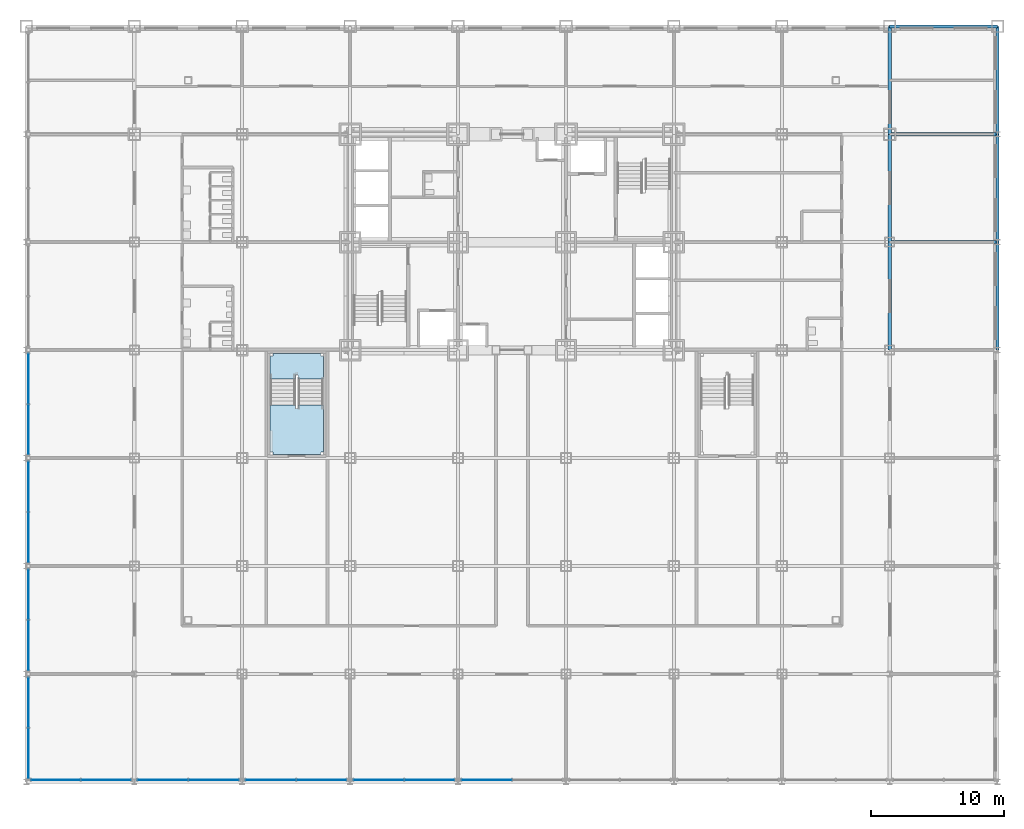
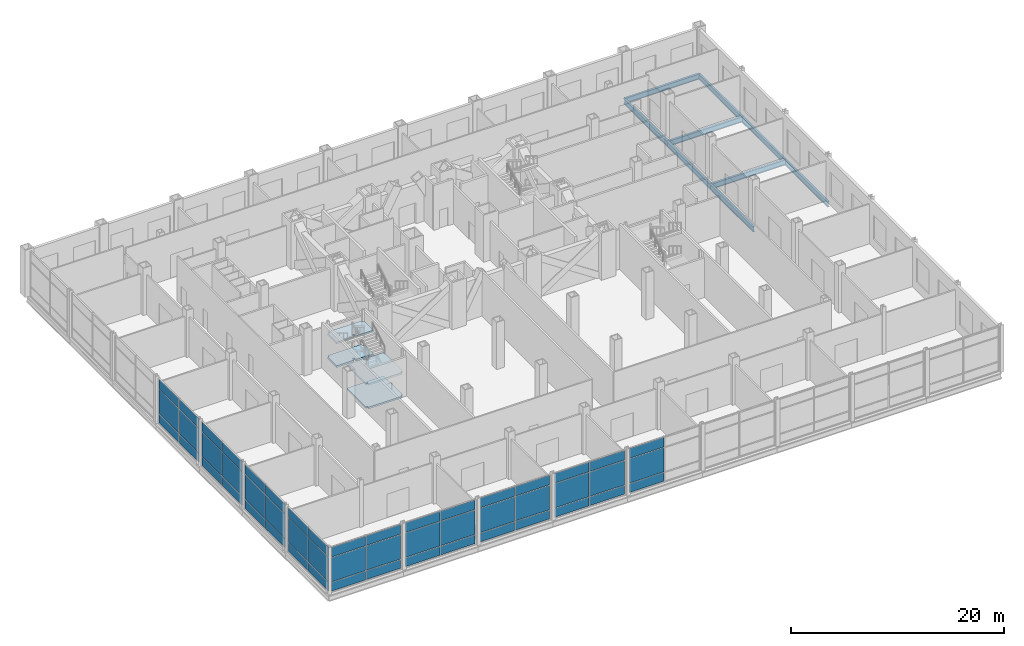
# One storey, part 18 of 30: 51 plates, 9 beams, 4 slabs, 10 elements without a shape of their own.
"""IFC4 building model written with IfcOpenShell, lengths in metres."""

from ifc_helpers import new_model, si_unit, direction, frame, origin, origin_2d, place, context, subcontext, project, spatial, polyline, rectangle, i_section, outline, extrude, material, layer, layer_set, material_profile, profile_set, type_object, element, aggregate, save


model = new_model("IFC4")

# Units and contexts
model_context = context("Model", 3, precision=1e-05, world=origin(), true_north=direction((0.0, 1.0)))
body_context = subcontext(model_context, "Body", "Model", "MODEL_VIEW")
ifc_project = project(units=[si_unit("LENGTHUNIT", "METRE"), si_unit("AREAUNIT", "SQUARE_METRE"), si_unit("VOLUMEUNIT", "CUBIC_METRE"), si_unit("PLANEANGLEUNIT", "RADIAN"), si_unit("MASSUNIT", "GRAM", prefix="KILO")], contexts=[model_context])

# Site, building, storey
site_placement = place(None, origin())
site = spatial("IfcSite", under=ifc_project, at=site_placement, CompositionType="ELEMENT")
building_placement = place(site_placement, origin())
building = spatial("IfcBuilding", under=site, at=building_placement, Name="Kopane Lantern Tower", CompositionType="ELEMENT")
storey_placement = place(building_placement, frame((0.0, 0.0, 6.0)))
storey = spatial("IfcBuildingStorey", under=building, at=storey_placement, Name="L01", CompositionType="ELEMENT", Elevation=6.0)

# Beams
ifc_material_1 = material(Name="Steel S355JR", Category="steel")
ifc_material_profile = material_profile(ifc_material_1, i_section(OverallWidth=0.22900390625, OverallDepth=0.6123046875, WebThickness=0.011962890625, FlangeThickness=0.01953125, FilletRadius=0.0126953125, at=origin_2d()), Name="UB 610x229x125")
ifc_profile_set = profile_set([ifc_material_profile], Name="Steel S355JR")
beam_type = type_object("IfcBeamType", Name="GIRDER UB 610x229x125", PredefinedType="BEAM", material=ifc_profile_set)
beam_1_placement = place(storey_placement, frame((56.699951171875, 24.300048828125, -0.55615234375), z_axis=(0.0, 1.0, 0.0), x_axis=(-1.0, 0.0, 0.0)))
element("IfcBeam", 1, at=beam_1_placement, inside=storey, type_object=beam_type, Name="Girder L01", PredefinedType="BEAM", context=body_context, shape_type="SweptSolid", body=[
    extrude(i_section(OverallWidth=0.22900390625, OverallDepth=0.6123046875, WebThickness=0.011962890625, FlangeThickness=0.01953125, FilletRadius=0.0126953125, at=origin_2d()), origin(), (0.0, 0.0, 1.0), 8.099853515625),
])
for number, where, z_axis, x_axis, name in (
    (2, (56.699951171875, 32.39990234375, -0.55615234375), (0.0, 1.0, 0.0), (-1.0, 0.0, 0.0), "Girder L01"),
    (3, (56.699951171875, 32.39990234375, -0.55615234375), (1.0, 0.0, 0.0), (0.0, 1.0, 0.0), "Girder L01"),
    (4, (56.699951171875, 40.5, -0.55615234375), (0.0, 1.0, 0.0), (-1.0, 0.0, 0.0), "Girder L01"),
    (5, (56.699951171875, 40.5, -0.55615234375), (1.0, 0.0, 0.0), (0.0, 1.0, 0.0), "Girder L01"),
    (6, (56.699951171875, 48.60009765625, -0.55615234375), (1.0, 0.0, 0.0), (0.0, 1.0, 0.0), "Girder L01"),
):
    element("IfcBeam", number, at=place(storey_placement, frame(where, z_axis=z_axis, x_axis=x_axis)), inside=storey, type_object=beam_type, Name=name, PredefinedType="BEAM", context=body_context, shape_type="SweptSolid", body=[
        extrude(i_section(OverallWidth=0.22900390625, OverallDepth=0.6123046875, WebThickness=0.011962890625, FlangeThickness=0.01953125, FilletRadius=0.0126953125, at=origin_2d()), origin(), (0.0, 0.0, 1.0), 8.10009765625),
    ])
beam_2_placement = place(storey_placement, frame((64.800048828125, 24.300048828125, -0.55615234375), z_axis=(0.0, 1.0, 0.0), x_axis=(-1.0, 0.0, 0.0)))
element("IfcBeam", 7, at=beam_2_placement, inside=storey, type_object=beam_type, Name="Girder L01", PredefinedType="BEAM", context=body_context, shape_type="SweptSolid", body=[
    extrude(i_section(OverallWidth=0.22900390625, OverallDepth=0.6123046875, WebThickness=0.011962890625, FlangeThickness=0.01953125, FilletRadius=0.0126953125, at=origin_2d()), origin(), (0.0, 0.0, 1.0), 8.099853515625),
])
for number, where, z_axis, x_axis, name in (
    (8, (64.800048828125, 32.39990234375, -0.55615234375), (0.0, 1.0, 0.0), (-1.0, 0.0, 0.0), "Girder L01"),
    (9, (64.800048828125, 40.5, -0.55615234375), (0.0, 1.0, 0.0), (-1.0, 0.0, 0.0), "Girder L01"),
):
    element("IfcBeam", number, at=place(storey_placement, frame(where, z_axis=z_axis, x_axis=x_axis)), inside=storey, type_object=beam_type, Name=name, PredefinedType="BEAM", context=body_context, shape_type="SweptSolid", body=[
        extrude(i_section(OverallWidth=0.22900390625, OverallDepth=0.6123046875, WebThickness=0.011962890625, FlangeThickness=0.01953125, FilletRadius=0.0126953125, at=origin_2d()), origin(), (0.0, 0.0, 1.0), 8.10009765625),
    ])

# Curtain wall, plates
ifc_material_2 = material(Name="Aluminium and clear glass", Category="aluminium")
curtain_wall_type = type_object("IfcCurtainWallType", Name="CURTAIN WALL CW1 PODIUM STOREFRONT", PredefinedType="USERDEFINED", material=ifc_material_2)
curtain_wall_1_placement = place(storey_placement, origin())
curtain_wall_1 = element("IfcCurtainWall", 10, at=curtain_wall_1_placement, inside=storey, type_object=curtain_wall_type, Name="Curtain wall CW1 S L01", ObjectType="CURTAIN WALL", PredefinedType="USERDEFINED")
ifc_material_3 = material(Name="Insulated clear glass unit", Category="glass")
ifc_layer_1 = layer(ifc_material_3, 0.031982421875)
ifc_layer_set_1 = layer_set([ifc_layer_1], Name="CURTAIN PANEL CW1-P 32")
plate_type = type_object("IfcPlateType", Name="CURTAIN PANEL CW1-P 32", PredefinedType="CURTAIN_PANEL", material=ifc_layer_set_1)
plate_1_placement = place(storey_placement, frame((-5.88525390625, -7.949951171875, 0.06494140625), z_axis=(0.0, 0.0, 1.0), x_axis=(1.0, 0.0, 0.0)))
plate_1 = element("IfcPlate", 11, at=plate_1_placement, type_object=plate_type, Name="CW1 panel 1.1", PredefinedType="CURTAIN_PANEL", context=body_context, shape_type="SweptSolid", body=[
    extrude(rectangle(XDim=3.69921875, YDim=0.031982421875, at=origin_2d()), origin(), (0.0, 0.0, 1.0), 1.00244140625),
])
plate_2_placement = place(storey_placement, frame((-5.88525390625, -7.949951171875, 1.13232421875), z_axis=(0.0, 0.0, 1.0), x_axis=(1.0, 0.0, 0.0)))
plate_2 = element("IfcPlate", 12, at=plate_2_placement, type_object=plate_type, Name="CW1 panel 1.2", PredefinedType="CURTAIN_PANEL", context=body_context, shape_type="SweptSolid", body=[
    extrude(rectangle(XDim=3.69921875, YDim=0.031982421875, at=origin_2d()), origin(), (0.0, 0.0, 1.0), 2.784912109375),
])
plate_3_placement = place(storey_placement, frame((-5.88525390625, -7.949951171875, 3.982421875), z_axis=(0.0, 0.0, 1.0), x_axis=(1.0, 0.0, 0.0)))
plate_3 = element("IfcPlate", 13, at=plate_3_placement, type_object=plate_type, Name="CW1 panel 1.3", PredefinedType="CURTAIN_PANEL", context=body_context, shape_type="SweptSolid", body=[
    extrude(rectangle(XDim=3.69921875, YDim=0.031982421875, at=origin_2d()), origin(), (0.0, 0.0, 1.0), 1.1025390625),
])
plate_4_placement = place(storey_placement, frame((-2.12109375, -7.949951171875, 0.06494140625), z_axis=(0.0, 0.0, 1.0), x_axis=(1.0, 0.0, 0.0)))
plate_4 = element("IfcPlate", 14, at=plate_4_placement, type_object=plate_type, Name="CW1 panel 2.1", PredefinedType="CURTAIN_PANEL", context=body_context, shape_type="SweptSolid", body=[
    extrude(rectangle(XDim=3.69921875, YDim=0.031982421875, at=origin_2d()), origin(), (0.0, 0.0, 1.0), 1.00244140625),
])
plate_5_placement = place(storey_placement, frame((-2.12109375, -7.949951171875, 1.13232421875), z_axis=(0.0, 0.0, 1.0), x_axis=(1.0, 0.0, 0.0)))
plate_5 = element("IfcPlate", 15, at=plate_5_placement, type_object=plate_type, Name="CW1 panel 2.2", PredefinedType="CURTAIN_PANEL", context=body_context, shape_type="SweptSolid", body=[
    extrude(rectangle(XDim=3.69921875, YDim=0.031982421875, at=origin_2d()), origin(), (0.0, 0.0, 1.0), 2.784912109375),
])
plate_6_placement = place(storey_placement, frame((-2.12109375, -7.949951171875, 3.982421875), z_axis=(0.0, 0.0, 1.0), x_axis=(1.0, 0.0, 0.0)))
plate_6 = element("IfcPlate", 16, at=plate_6_placement, type_object=plate_type, Name="CW1 panel 2.3", PredefinedType="CURTAIN_PANEL", context=body_context, shape_type="SweptSolid", body=[
    extrude(rectangle(XDim=3.69921875, YDim=0.031982421875, at=origin_2d()), origin(), (0.0, 0.0, 1.0), 1.1025390625),
])
aggregate(curtain_wall_1, [plate_1, plate_2, plate_3, plate_4, plate_5, plate_6])

curtain_wall_2_placement = place(storey_placement, origin())
curtain_wall_2 = element("IfcCurtainWall", 17, at=curtain_wall_2_placement, inside=storey, type_object=curtain_wall_type, Name="Curtain wall CW1 S L01", ObjectType="CURTAIN WALL", PredefinedType="USERDEFINED")
plate_7_placement = place(storey_placement, frame((2.14453125, -7.949951171875, 0.06494140625), z_axis=(0.0, 0.0, 1.0), x_axis=(1.0, 0.0, 0.0)))
plate_7 = element("IfcPlate", 18, at=plate_7_placement, type_object=plate_type, Name="CW1 panel 1.1", PredefinedType="CURTAIN_PANEL", context=body_context, shape_type="SweptSolid", body=[
    extrude(rectangle(XDim=3.74609375, YDim=0.031982421875, at=origin_2d()), origin(), (0.0, 0.0, 1.0), 1.00244140625),
])
plate_8_placement = place(storey_placement, frame((2.14453125, -7.949951171875, 1.13232421875), z_axis=(0.0, 0.0, 1.0), x_axis=(1.0, 0.0, 0.0)))
plate_8 = element("IfcPlate", 19, at=plate_8_placement, type_object=plate_type, Name="CW1 panel 1.2", PredefinedType="CURTAIN_PANEL", context=body_context, shape_type="SweptSolid", body=[
    extrude(rectangle(XDim=3.74609375, YDim=0.031982421875, at=origin_2d()), origin(), (0.0, 0.0, 1.0), 2.784912109375),
])
plate_9_placement = place(storey_placement, frame((2.14453125, -7.949951171875, 3.982421875), z_axis=(0.0, 0.0, 1.0), x_axis=(1.0, 0.0, 0.0)))
plate_9 = element("IfcPlate", 20, at=plate_9_placement, type_object=plate_type, Name="CW1 panel 1.3", PredefinedType="CURTAIN_PANEL", context=body_context, shape_type="SweptSolid", body=[
    extrude(rectangle(XDim=3.74609375, YDim=0.031982421875, at=origin_2d()), origin(), (0.0, 0.0, 1.0), 1.1025390625),
])
plate_10_placement = place(storey_placement, frame((5.95556640625, -7.949951171875, 0.06494140625), z_axis=(0.0, 0.0, 1.0), x_axis=(1.0, 0.0, 0.0)))
plate_10 = element("IfcPlate", 21, at=plate_10_placement, type_object=plate_type, Name="CW1 panel 2.1", PredefinedType="CURTAIN_PANEL", context=body_context, shape_type="SweptSolid", body=[
    extrude(rectangle(XDim=3.74609375, YDim=0.031982421875, at=origin_2d()), origin(), (0.0, 0.0, 1.0), 1.00244140625),
])
plate_11_placement = place(storey_placement, frame((5.95556640625, -7.949951171875, 1.13232421875), z_axis=(0.0, 0.0, 1.0), x_axis=(1.0, 0.0, 0.0)))
plate_11 = element("IfcPlate", 22, at=plate_11_placement, type_object=plate_type, Name="CW1 panel 2.2", PredefinedType="CURTAIN_PANEL", context=body_context, shape_type="SweptSolid", body=[
    extrude(rectangle(XDim=3.74609375, YDim=0.031982421875, at=origin_2d()), origin(), (0.0, 0.0, 1.0), 2.784912109375),
])
plate_12_placement = place(storey_placement, frame((5.95556640625, -7.949951171875, 3.982421875), z_axis=(0.0, 0.0, 1.0), x_axis=(1.0, 0.0, 0.0)))
plate_12 = element("IfcPlate", 23, at=plate_12_placement, type_object=plate_type, Name="CW1 panel 2.3", PredefinedType="CURTAIN_PANEL", context=body_context, shape_type="SweptSolid", body=[
    extrude(rectangle(XDim=3.74609375, YDim=0.031982421875, at=origin_2d()), origin(), (0.0, 0.0, 1.0), 1.1025390625),
])
aggregate(curtain_wall_2, [plate_7, plate_8, plate_9, plate_10, plate_11, plate_12])

curtain_wall_3_placement = place(storey_placement, origin())
curtain_wall_3 = element("IfcCurtainWall", 24, at=curtain_wall_3_placement, inside=storey, type_object=curtain_wall_type, Name="Curtain wall CW1 S L01", ObjectType="CURTAIN WALL", PredefinedType="USERDEFINED")
plate_13_placement = place(storey_placement, frame((10.244384765625, -7.949951171875, 0.06494140625), z_axis=(0.0, 0.0, 1.0), x_axis=(1.0, 0.0, 0.0)))
plate_13 = element("IfcPlate", 25, at=plate_13_placement, type_object=plate_type, Name="CW1 panel 1.1", PredefinedType="CURTAIN_PANEL", context=body_context, shape_type="SweptSolid", body=[
    extrude(rectangle(XDim=3.74609375, YDim=0.031982421875, at=origin_2d()), origin(), (0.0, 0.0, 1.0), 1.00244140625),
])
plate_14_placement = place(storey_placement, frame((10.244384765625, -7.949951171875, 1.13232421875), z_axis=(0.0, 0.0, 1.0), x_axis=(1.0, 0.0, 0.0)))
plate_14 = element("IfcPlate", 26, at=plate_14_placement, type_object=plate_type, Name="CW1 panel 1.2", PredefinedType="CURTAIN_PANEL", context=body_context, shape_type="SweptSolid", body=[
    extrude(rectangle(XDim=3.74609375, YDim=0.031982421875, at=origin_2d()), origin(), (0.0, 0.0, 1.0), 2.784912109375),
])
plate_15_placement = place(storey_placement, frame((10.244384765625, -7.949951171875, 3.982421875), z_axis=(0.0, 0.0, 1.0), x_axis=(1.0, 0.0, 0.0)))
plate_15 = element("IfcPlate", 27, at=plate_15_placement, type_object=plate_type, Name="CW1 panel 1.3", PredefinedType="CURTAIN_PANEL", context=body_context, shape_type="SweptSolid", body=[
    extrude(rectangle(XDim=3.74609375, YDim=0.031982421875, at=origin_2d()), origin(), (0.0, 0.0, 1.0), 1.1025390625),
])
plate_16_placement = place(storey_placement, frame((14.055419921875, -7.949951171875, 0.06494140625), z_axis=(0.0, 0.0, 1.0), x_axis=(1.0, 0.0, 0.0)))
plate_16 = element("IfcPlate", 28, at=plate_16_placement, type_object=plate_type, Name="CW1 panel 2.1", PredefinedType="CURTAIN_PANEL", context=body_context, shape_type="SweptSolid", body=[
    extrude(rectangle(XDim=3.74609375, YDim=0.031982421875, at=origin_2d()), origin(), (0.0, 0.0, 1.0), 1.00244140625),
])
plate_17_placement = place(storey_placement, frame((14.055419921875, -7.949951171875, 1.13232421875), z_axis=(0.0, 0.0, 1.0), x_axis=(1.0, 0.0, 0.0)))
plate_17 = element("IfcPlate", 29, at=plate_17_placement, type_object=plate_type, Name="CW1 panel 2.2", PredefinedType="CURTAIN_PANEL", context=body_context, shape_type="SweptSolid", body=[
    extrude(rectangle(XDim=3.74609375, YDim=0.031982421875, at=origin_2d()), origin(), (0.0, 0.0, 1.0), 2.784912109375),
])
plate_18_placement = place(storey_placement, frame((14.055419921875, -7.949951171875, 3.982421875), z_axis=(0.0, 0.0, 1.0), x_axis=(1.0, 0.0, 0.0)))
plate_18 = element("IfcPlate", 30, at=plate_18_placement, type_object=plate_type, Name="CW1 panel 2.3", PredefinedType="CURTAIN_PANEL", context=body_context, shape_type="SweptSolid", body=[
    extrude(rectangle(XDim=3.74609375, YDim=0.031982421875, at=origin_2d()), origin(), (0.0, 0.0, 1.0), 1.1025390625),
])
aggregate(curtain_wall_3, [plate_13, plate_14, plate_15, plate_16, plate_17, plate_18])

curtain_wall_4_placement = place(storey_placement, origin())
curtain_wall_4 = element("IfcCurtainWall", 31, at=curtain_wall_4_placement, inside=storey, type_object=curtain_wall_type, Name="Curtain wall CW1 S L01", ObjectType="CURTAIN WALL", PredefinedType="USERDEFINED")
plate_19_placement = place(storey_placement, frame((18.344482421875, -7.949951171875, 0.06494140625), z_axis=(0.0, 0.0, 1.0), x_axis=(1.0, 0.0, 0.0)))
plate_19 = element("IfcPlate", 32, at=plate_19_placement, type_object=plate_type, Name="CW1 panel 1.1", PredefinedType="CURTAIN_PANEL", context=body_context, shape_type="SweptSolid", body=[
    extrude(rectangle(XDim=3.74609375, YDim=0.031982421875, at=origin_2d()), origin(), (0.0, 0.0, 1.0), 1.00244140625),
])
plate_20_placement = place(storey_placement, frame((18.344482421875, -7.949951171875, 1.13232421875), z_axis=(0.0, 0.0, 1.0), x_axis=(1.0, 0.0, 0.0)))
plate_20 = element("IfcPlate", 33, at=plate_20_placement, type_object=plate_type, Name="CW1 panel 1.2", PredefinedType="CURTAIN_PANEL", context=body_context, shape_type="SweptSolid", body=[
    extrude(rectangle(XDim=3.74609375, YDim=0.031982421875, at=origin_2d()), origin(), (0.0, 0.0, 1.0), 2.784912109375),
])
plate_21_placement = place(storey_placement, frame((18.344482421875, -7.949951171875, 3.982421875), z_axis=(0.0, 0.0, 1.0), x_axis=(1.0, 0.0, 0.0)))
plate_21 = element("IfcPlate", 34, at=plate_21_placement, type_object=plate_type, Name="CW1 panel 1.3", PredefinedType="CURTAIN_PANEL", context=body_context, shape_type="SweptSolid", body=[
    extrude(rectangle(XDim=3.74609375, YDim=0.031982421875, at=origin_2d()), origin(), (0.0, 0.0, 1.0), 1.1025390625),
])
plate_22_placement = place(storey_placement, frame((22.155517578125, -7.949951171875, 0.06494140625), z_axis=(0.0, 0.0, 1.0), x_axis=(1.0, 0.0, 0.0)))
plate_22 = element("IfcPlate", 35, at=plate_22_placement, type_object=plate_type, Name="CW1 panel 2.1", PredefinedType="CURTAIN_PANEL", context=body_context, shape_type="SweptSolid", body=[
    extrude(rectangle(XDim=3.74609375, YDim=0.031982421875, at=origin_2d()), origin(), (0.0, 0.0, 1.0), 1.00244140625),
])
plate_23_placement = place(storey_placement, frame((22.155517578125, -7.949951171875, 1.13232421875), z_axis=(0.0, 0.0, 1.0), x_axis=(1.0, 0.0, 0.0)))
plate_23 = element("IfcPlate", 36, at=plate_23_placement, type_object=plate_type, Name="CW1 panel 2.2", PredefinedType="CURTAIN_PANEL", context=body_context, shape_type="SweptSolid", body=[
    extrude(rectangle(XDim=3.74609375, YDim=0.031982421875, at=origin_2d()), origin(), (0.0, 0.0, 1.0), 2.784912109375),
])
plate_24_placement = place(storey_placement, frame((22.155517578125, -7.949951171875, 3.982421875), z_axis=(0.0, 0.0, 1.0), x_axis=(1.0, 0.0, 0.0)))
plate_24 = element("IfcPlate", 37, at=plate_24_placement, type_object=plate_type, Name="CW1 panel 2.3", PredefinedType="CURTAIN_PANEL", context=body_context, shape_type="SweptSolid", body=[
    extrude(rectangle(XDim=3.74609375, YDim=0.031982421875, at=origin_2d()), origin(), (0.0, 0.0, 1.0), 1.1025390625),
])
aggregate(curtain_wall_4, [plate_19, plate_20, plate_21, plate_22, plate_23, plate_24])

curtain_wall_5_placement = place(storey_placement, origin())
curtain_wall_5 = element("IfcCurtainWall", 38, at=curtain_wall_5_placement, inside=storey, type_object=curtain_wall_type, Name="Curtain wall CW1 S L01", ObjectType="CURTAIN WALL", PredefinedType="USERDEFINED")
plate_25_placement = place(storey_placement, frame((26.444580078125, -7.949951171875, 0.06494140625), z_axis=(0.0, 0.0, 1.0), x_axis=(1.0, 0.0, 0.0)))
plate_25 = element("IfcPlate", 39, at=plate_25_placement, type_object=plate_type, Name="CW1 panel 1.1", PredefinedType="CURTAIN_PANEL", context=body_context, shape_type="SweptSolid", body=[
    extrude(rectangle(XDim=3.74609375, YDim=0.031982421875, at=origin_2d()), origin(), (0.0, 0.0, 1.0), 1.00244140625),
])
plate_26_placement = place(storey_placement, frame((26.444580078125, -7.949951171875, 1.13232421875), z_axis=(0.0, 0.0, 1.0), x_axis=(1.0, 0.0, 0.0)))
plate_26 = element("IfcPlate", 40, at=plate_26_placement, type_object=plate_type, Name="CW1 panel 1.2", PredefinedType="CURTAIN_PANEL", context=body_context, shape_type="SweptSolid", body=[
    extrude(rectangle(XDim=3.74609375, YDim=0.031982421875, at=origin_2d()), origin(), (0.0, 0.0, 1.0), 2.784912109375),
])
plate_27_placement = place(storey_placement, frame((26.444580078125, -7.949951171875, 3.982421875), z_axis=(0.0, 0.0, 1.0), x_axis=(1.0, 0.0, 0.0)))
plate_27 = element("IfcPlate", 41, at=plate_27_placement, type_object=plate_type, Name="CW1 panel 1.3", PredefinedType="CURTAIN_PANEL", context=body_context, shape_type="SweptSolid", body=[
    extrude(rectangle(XDim=3.74609375, YDim=0.031982421875, at=origin_2d()), origin(), (0.0, 0.0, 1.0), 1.1025390625),
])
aggregate(curtain_wall_5, [plate_25, plate_26, plate_27])

curtain_wall_6_placement = place(storey_placement, origin())
curtain_wall_6 = element("IfcCurtainWall", 42, at=curtain_wall_6_placement, inside=storey, type_object=curtain_wall_type, Name="Curtain wall CW1 W L01", ObjectType="CURTAIN WALL", PredefinedType="USERDEFINED")
plate_28_placement = place(storey_placement, frame((-7.949951171875, 22.154541015625, 0.06494140625), z_axis=(0.0, 0.0, 1.0), x_axis=(0.0, -1.0, 0.0)))
plate_28 = element("IfcPlate", 43, at=plate_28_placement, type_object=plate_type, Name="CW1 panel 1.1", PredefinedType="CURTAIN_PANEL", context=body_context, shape_type="SweptSolid", body=[
    extrude(rectangle(XDim=3.744384765625, YDim=0.031982421875, at=origin_2d()), origin(), (0.0, 0.0, 1.0), 1.00244140625),
])
plate_29_placement = place(storey_placement, frame((-7.949951171875, 22.154541015625, 1.13232421875), z_axis=(0.0, 0.0, 1.0), x_axis=(0.0, -1.0, 0.0)))
plate_29 = element("IfcPlate", 44, at=plate_29_placement, type_object=plate_type, Name="CW1 panel 1.2", PredefinedType="CURTAIN_PANEL", context=body_context, shape_type="SweptSolid", body=[
    extrude(rectangle(XDim=3.744384765625, YDim=0.031982421875, at=origin_2d()), origin(), (0.0, 0.0, 1.0), 2.784912109375),
])
plate_30_placement = place(storey_placement, frame((-7.949951171875, 22.154541015625, 3.982421875), z_axis=(0.0, 0.0, 1.0), x_axis=(0.0, -1.0, 0.0)))
plate_30 = element("IfcPlate", 45, at=plate_30_placement, type_object=plate_type, Name="CW1 panel 1.3", PredefinedType="CURTAIN_PANEL", context=body_context, shape_type="SweptSolid", body=[
    extrude(rectangle(XDim=3.744384765625, YDim=0.031982421875, at=origin_2d()), origin(), (0.0, 0.0, 1.0), 1.1025390625),
])
plate_31_placement = place(storey_placement, frame((-7.949951171875, 18.345458984375, 0.06494140625), z_axis=(0.0, 0.0, 1.0), x_axis=(0.0, -1.0, 0.0)))
plate_31 = element("IfcPlate", 46, at=plate_31_placement, type_object=plate_type, Name="CW1 panel 2.1", PredefinedType="CURTAIN_PANEL", context=body_context, shape_type="SweptSolid", body=[
    extrude(rectangle(XDim=3.744384765625, YDim=0.031982421875, at=origin_2d()), origin(), (0.0, 0.0, 1.0), 1.00244140625),
])
plate_32_placement = place(storey_placement, frame((-7.949951171875, 18.345458984375, 1.13232421875), z_axis=(0.0, 0.0, 1.0), x_axis=(0.0, -1.0, 0.0)))
plate_32 = element("IfcPlate", 47, at=plate_32_placement, type_object=plate_type, Name="CW1 panel 2.2", PredefinedType="CURTAIN_PANEL", context=body_context, shape_type="SweptSolid", body=[
    extrude(rectangle(XDim=3.744384765625, YDim=0.031982421875, at=origin_2d()), origin(), (0.0, 0.0, 1.0), 2.784912109375),
])
plate_33_placement = place(storey_placement, frame((-7.949951171875, 18.345458984375, 3.982421875), z_axis=(0.0, 0.0, 1.0), x_axis=(0.0, -1.0, 0.0)))
plate_33 = element("IfcPlate", 48, at=plate_33_placement, type_object=plate_type, Name="CW1 panel 2.3", PredefinedType="CURTAIN_PANEL", context=body_context, shape_type="SweptSolid", body=[
    extrude(rectangle(XDim=3.744384765625, YDim=0.031982421875, at=origin_2d()), origin(), (0.0, 0.0, 1.0), 1.1025390625),
])
aggregate(curtain_wall_6, [plate_28, plate_29, plate_30, plate_31, plate_32, plate_33])

curtain_wall_7_placement = place(storey_placement, origin())
curtain_wall_7 = element("IfcCurtainWall", 49, at=curtain_wall_7_placement, inside=storey, type_object=curtain_wall_type, Name="Curtain wall CW1 W L01", ObjectType="CURTAIN WALL", PredefinedType="USERDEFINED")
plate_34_placement = place(storey_placement, frame((-7.949951171875, 14.0546875, 0.06494140625), z_axis=(0.0, 0.0, 1.0), x_axis=(0.0, -1.0, 0.0)))
plate_34 = element("IfcPlate", 50, at=plate_34_placement, type_object=plate_type, Name="CW1 panel 1.1", PredefinedType="CURTAIN_PANEL", context=body_context, shape_type="SweptSolid", body=[
    extrude(rectangle(XDim=3.744384765625, YDim=0.031982421875, at=origin_2d()), origin(), (0.0, 0.0, 1.0), 1.00244140625),
])
plate_35_placement = place(storey_placement, frame((-7.949951171875, 14.0546875, 1.13232421875), z_axis=(0.0, 0.0, 1.0), x_axis=(0.0, -1.0, 0.0)))
plate_35 = element("IfcPlate", 51, at=plate_35_placement, type_object=plate_type, Name="CW1 panel 1.2", PredefinedType="CURTAIN_PANEL", context=body_context, shape_type="SweptSolid", body=[
    extrude(rectangle(XDim=3.744384765625, YDim=0.031982421875, at=origin_2d()), origin(), (0.0, 0.0, 1.0), 2.784912109375),
])
plate_36_placement = place(storey_placement, frame((-7.949951171875, 14.0546875, 3.982421875), z_axis=(0.0, 0.0, 1.0), x_axis=(0.0, -1.0, 0.0)))
plate_36 = element("IfcPlate", 52, at=plate_36_placement, type_object=plate_type, Name="CW1 panel 1.3", PredefinedType="CURTAIN_PANEL", context=body_context, shape_type="SweptSolid", body=[
    extrude(rectangle(XDim=3.744384765625, YDim=0.031982421875, at=origin_2d()), origin(), (0.0, 0.0, 1.0), 1.1025390625),
])
plate_37_placement = place(storey_placement, frame((-7.949951171875, 10.245361328125, 0.06494140625), z_axis=(0.0, 0.0, 1.0), x_axis=(0.0, -1.0, 0.0)))
plate_37 = element("IfcPlate", 53, at=plate_37_placement, type_object=plate_type, Name="CW1 panel 2.1", PredefinedType="CURTAIN_PANEL", context=body_context, shape_type="SweptSolid", body=[
    extrude(rectangle(XDim=3.744384765625, YDim=0.031982421875, at=origin_2d()), origin(), (0.0, 0.0, 1.0), 1.00244140625),
])
plate_38_placement = place(storey_placement, frame((-7.949951171875, 10.245361328125, 1.13232421875), z_axis=(0.0, 0.0, 1.0), x_axis=(0.0, -1.0, 0.0)))
plate_38 = element("IfcPlate", 54, at=plate_38_placement, type_object=plate_type, Name="CW1 panel 2.2", PredefinedType="CURTAIN_PANEL", context=body_context, shape_type="SweptSolid", body=[
    extrude(rectangle(XDim=3.744384765625, YDim=0.031982421875, at=origin_2d()), origin(), (0.0, 0.0, 1.0), 2.784912109375),
])
plate_39_placement = place(storey_placement, frame((-7.949951171875, 10.245361328125, 3.982421875), z_axis=(0.0, 0.0, 1.0), x_axis=(0.0, -1.0, 0.0)))
plate_39 = element("IfcPlate", 55, at=plate_39_placement, type_object=plate_type, Name="CW1 panel 2.3", PredefinedType="CURTAIN_PANEL", context=body_context, shape_type="SweptSolid", body=[
    extrude(rectangle(XDim=3.744384765625, YDim=0.031982421875, at=origin_2d()), origin(), (0.0, 0.0, 1.0), 1.1025390625),
])
aggregate(curtain_wall_7, [plate_34, plate_35, plate_36, plate_37, plate_38, plate_39])

curtain_wall_8_placement = place(storey_placement, origin())
curtain_wall_8 = element("IfcCurtainWall", 56, at=curtain_wall_8_placement, inside=storey, type_object=curtain_wall_type, Name="Curtain wall CW1 W L01", ObjectType="CURTAIN WALL", PredefinedType="USERDEFINED")
plate_40_placement = place(storey_placement, frame((-7.949951171875, 5.95458984375, 0.06494140625), z_axis=(0.0, 0.0, 1.0), x_axis=(0.0, -1.0, 0.0)))
plate_40 = element("IfcPlate", 57, at=plate_40_placement, type_object=plate_type, Name="CW1 panel 1.1", PredefinedType="CURTAIN_PANEL", context=body_context, shape_type="SweptSolid", body=[
    extrude(rectangle(XDim=3.744384765625, YDim=0.031982421875, at=origin_2d()), origin(), (0.0, 0.0, 1.0), 1.00244140625),
])
plate_41_placement = place(storey_placement, frame((-7.949951171875, 5.95458984375, 1.13232421875), z_axis=(0.0, 0.0, 1.0), x_axis=(0.0, -1.0, 0.0)))
plate_41 = element("IfcPlate", 58, at=plate_41_placement, type_object=plate_type, Name="CW1 panel 1.2", PredefinedType="CURTAIN_PANEL", context=body_context, shape_type="SweptSolid", body=[
    extrude(rectangle(XDim=3.744384765625, YDim=0.031982421875, at=origin_2d()), origin(), (0.0, 0.0, 1.0), 2.784912109375),
])
plate_42_placement = place(storey_placement, frame((-7.949951171875, 5.95458984375, 3.982421875), z_axis=(0.0, 0.0, 1.0), x_axis=(0.0, -1.0, 0.0)))
plate_42 = element("IfcPlate", 59, at=plate_42_placement, type_object=plate_type, Name="CW1 panel 1.3", PredefinedType="CURTAIN_PANEL", context=body_context, shape_type="SweptSolid", body=[
    extrude(rectangle(XDim=3.744384765625, YDim=0.031982421875, at=origin_2d()), origin(), (0.0, 0.0, 1.0), 1.1025390625),
])
plate_43_placement = place(storey_placement, frame((-7.949951171875, 2.145263671875, 0.06494140625), z_axis=(0.0, 0.0, 1.0), x_axis=(0.0, -1.0, 0.0)))
plate_43 = element("IfcPlate", 60, at=plate_43_placement, type_object=plate_type, Name="CW1 panel 2.1", PredefinedType="CURTAIN_PANEL", context=body_context, shape_type="SweptSolid", body=[
    extrude(rectangle(XDim=3.744384765625, YDim=0.031982421875, at=origin_2d()), origin(), (0.0, 0.0, 1.0), 1.00244140625),
])
plate_44_placement = place(storey_placement, frame((-7.949951171875, 2.145263671875, 1.13232421875), z_axis=(0.0, 0.0, 1.0), x_axis=(0.0, -1.0, 0.0)))
plate_44 = element("IfcPlate", 61, at=plate_44_placement, type_object=plate_type, Name="CW1 panel 2.2", PredefinedType="CURTAIN_PANEL", context=body_context, shape_type="SweptSolid", body=[
    extrude(rectangle(XDim=3.744384765625, YDim=0.031982421875, at=origin_2d()), origin(), (0.0, 0.0, 1.0), 2.784912109375),
])
plate_45_placement = place(storey_placement, frame((-7.949951171875, 2.145263671875, 3.982421875), z_axis=(0.0, 0.0, 1.0), x_axis=(0.0, -1.0, 0.0)))
plate_45 = element("IfcPlate", 62, at=plate_45_placement, type_object=plate_type, Name="CW1 panel 2.3", PredefinedType="CURTAIN_PANEL", context=body_context, shape_type="SweptSolid", body=[
    extrude(rectangle(XDim=3.744384765625, YDim=0.031982421875, at=origin_2d()), origin(), (0.0, 0.0, 1.0), 1.1025390625),
])
aggregate(curtain_wall_8, [plate_40, plate_41, plate_42, plate_43, plate_44, plate_45])

curtain_wall_9_placement = place(storey_placement, origin())
curtain_wall_9 = element("IfcCurtainWall", 63, at=curtain_wall_9_placement, inside=storey, type_object=curtain_wall_type, Name="Curtain wall CW1 W L01", ObjectType="CURTAIN WALL", PredefinedType="USERDEFINED")
plate_46_placement = place(storey_placement, frame((-7.949951171875, -2.145263671875, 0.06494140625), z_axis=(0.0, 0.0, 1.0), x_axis=(0.0, -1.0, 0.0)))
plate_46 = element("IfcPlate", 64, at=plate_46_placement, type_object=plate_type, Name="CW1 panel 1.1", PredefinedType="CURTAIN_PANEL", context=body_context, shape_type="SweptSolid", body=[
    extrude(rectangle(XDim=3.744384765625, YDim=0.031982421875, at=origin_2d()), origin(), (0.0, 0.0, 1.0), 1.00244140625),
])
plate_47_placement = place(storey_placement, frame((-7.949951171875, -2.145263671875, 1.13232421875), z_axis=(0.0, 0.0, 1.0), x_axis=(0.0, -1.0, 0.0)))
plate_47 = element("IfcPlate", 65, at=plate_47_placement, type_object=plate_type, Name="CW1 panel 1.2", PredefinedType="CURTAIN_PANEL", context=body_context, shape_type="SweptSolid", body=[
    extrude(rectangle(XDim=3.744384765625, YDim=0.031982421875, at=origin_2d()), origin(), (0.0, 0.0, 1.0), 2.784912109375),
])
plate_48_placement = place(storey_placement, frame((-7.949951171875, -2.145263671875, 3.982421875), z_axis=(0.0, 0.0, 1.0), x_axis=(0.0, -1.0, 0.0)))
plate_48 = element("IfcPlate", 66, at=plate_48_placement, type_object=plate_type, Name="CW1 panel 1.3", PredefinedType="CURTAIN_PANEL", context=body_context, shape_type="SweptSolid", body=[
    extrude(rectangle(XDim=3.744384765625, YDim=0.031982421875, at=origin_2d()), origin(), (0.0, 0.0, 1.0), 1.1025390625),
])
plate_49_placement = place(storey_placement, frame((-7.949951171875, -5.95458984375, 0.06494140625), z_axis=(0.0, 0.0, 1.0), x_axis=(0.0, -1.0, 0.0)))
plate_49 = element("IfcPlate", 67, at=plate_49_placement, type_object=plate_type, Name="CW1 panel 2.1", PredefinedType="CURTAIN_PANEL", context=body_context, shape_type="SweptSolid", body=[
    extrude(rectangle(XDim=3.744384765625, YDim=0.031982421875, at=origin_2d()), origin(), (0.0, 0.0, 1.0), 1.00244140625),
])
plate_50_placement = place(storey_placement, frame((-7.949951171875, -5.95458984375, 1.13232421875), z_axis=(0.0, 0.0, 1.0), x_axis=(0.0, -1.0, 0.0)))
plate_50 = element("IfcPlate", 68, at=plate_50_placement, type_object=plate_type, Name="CW1 panel 2.2", PredefinedType="CURTAIN_PANEL", context=body_context, shape_type="SweptSolid", body=[
    extrude(rectangle(XDim=3.744384765625, YDim=0.031982421875, at=origin_2d()), origin(), (0.0, 0.0, 1.0), 2.784912109375),
])
plate_51_placement = place(storey_placement, frame((-7.949951171875, -5.95458984375, 3.982421875), z_axis=(0.0, 0.0, 1.0), x_axis=(0.0, -1.0, 0.0)))
plate_51 = element("IfcPlate", 69, at=plate_51_placement, type_object=plate_type, Name="CW1 panel 2.3", PredefinedType="CURTAIN_PANEL", context=body_context, shape_type="SweptSolid", body=[
    extrude(rectangle(XDim=3.744384765625, YDim=0.031982421875, at=origin_2d()), origin(), (0.0, 0.0, 1.0), 1.1025390625),
])
aggregate(curtain_wall_9, [plate_46, plate_47, plate_48, plate_49, plate_50, plate_51])

# Stair, slabs
ifc_material_4 = material(Name="Steel S355JR", Category="steel")
stair_type = type_object("IfcStairType", Name="EXIT STAIR 1900 HALF TURN", PredefinedType="HALF_TURN_STAIR", material=ifc_material_4)
stair_placement = place(storey_placement, origin())
stair = element("IfcStair", 70, at=stair_placement, inside=storey, type_object=stair_type, Name="Exit stair ST3 L01", PredefinedType="HALF_TURN_STAIR")
ifc_material_5 = material(Name="Concrete C40/50", Category="concrete")
ifc_layer_2 = layer(ifc_material_5, 0.199951171875)
ifc_layer_set_2 = layer_set([ifc_layer_2], Name="STAIR LANDING 200")
slab_type = type_object("IfcSlabType", Name="STAIR LANDING 200", PredefinedType="LANDING", material=ifc_layer_set_2)
slab_1_placement = place(storey_placement, frame((0.0, 0.0, -0.199951171875)))
slab_1 = element("IfcSlab", 71, at=slab_1_placement, type_object=slab_type, Name="ST3 landing 1", PredefinedType="LANDING", context=body_context, shape_type="SweptSolid", body=[
    extrude(outline(polyline([(10.39990234375, 16.64990234375), (10.39990234375, 16.449951171875), (14.0, 16.449951171875), (14.0, 16.64990234375), (14.199951171875, 16.64990234375), (14.199951171875, 20.18994140625), (12.300048828125, 20.18994140625), (12.300048828125, 19.909912109375), (12.10009765625, 19.909912109375), (12.10009765625, 20.18994140625), (10.199951171875, 20.18994140625), (10.199951171875, 16.64990234375), (10.39990234375, 16.64990234375)])), origin(), (0.0, 0.0, 1.0), 0.199951171875),
])
slab_2_placement = place(storey_placement, frame((0.0, 0.0, 1.14990234375)))
slab_2 = element("IfcSlab", 72, at=slab_2_placement, type_object=slab_type, Name="ST3 landing 2", PredefinedType="LANDING", context=body_context, shape_type="SweptSolid", body=[
    extrude(outline(polyline([(10.39990234375, 23.85009765625), (10.199951171875, 23.85009765625), (10.199951171875, 22.14990234375), (12.10009765625, 22.14990234375), (12.10009765625, 22.429931640625), (12.300048828125, 22.429931640625), (12.300048828125, 22.14990234375), (14.199951171875, 22.14990234375), (14.199951171875, 23.85009765625), (14.0, 23.85009765625), (14.0, 24.050048828125), (10.39990234375, 24.050048828125), (10.39990234375, 23.85009765625)])), origin(), (0.0, 0.0, 1.0), 0.2001953125),
])
slab_3_placement = place(storey_placement, frame((0.0, 0.0, 2.5)))
slab_3 = element("IfcSlab", 73, at=slab_3_placement, type_object=slab_type, Name="ST3 landing 3", PredefinedType="LANDING", context=body_context, shape_type="SweptSolid", body=[
    extrude(outline(polyline([(10.39990234375, 16.64990234375), (10.39990234375, 16.449951171875), (14.0, 16.449951171875), (14.0, 16.64990234375), (14.199951171875, 16.64990234375), (14.199951171875, 20.18994140625), (12.300048828125, 20.18994140625), (12.300048828125, 19.909912109375), (12.10009765625, 19.909912109375), (12.10009765625, 20.18994140625), (10.199951171875, 20.18994140625), (10.199951171875, 16.64990234375), (10.39990234375, 16.64990234375)])), origin(), (0.0, 0.0, 1.0), 0.199951171875),
])
slab_4_placement = place(storey_placement, frame((0.0, 0.0, 3.85009765625)))
slab_4 = element("IfcSlab", 74, at=slab_4_placement, type_object=slab_type, Name="ST3 landing 4", PredefinedType="LANDING", context=body_context, shape_type="SweptSolid", body=[
    extrude(outline(polyline([(10.39990234375, 23.85009765625), (10.199951171875, 23.85009765625), (10.199951171875, 22.14990234375), (12.10009765625, 22.14990234375), (12.10009765625, 22.429931640625), (12.300048828125, 22.429931640625), (12.300048828125, 22.14990234375), (14.199951171875, 22.14990234375), (14.199951171875, 23.85009765625), (14.0, 23.85009765625), (14.0, 24.050048828125), (10.39990234375, 24.050048828125), (10.39990234375, 23.85009765625)])), origin(), (0.0, 0.0, 1.0), 0.199951171875),
])
aggregate(stair, [slab_1, slab_2, slab_3, slab_4])

save(model, "model.ifc")
